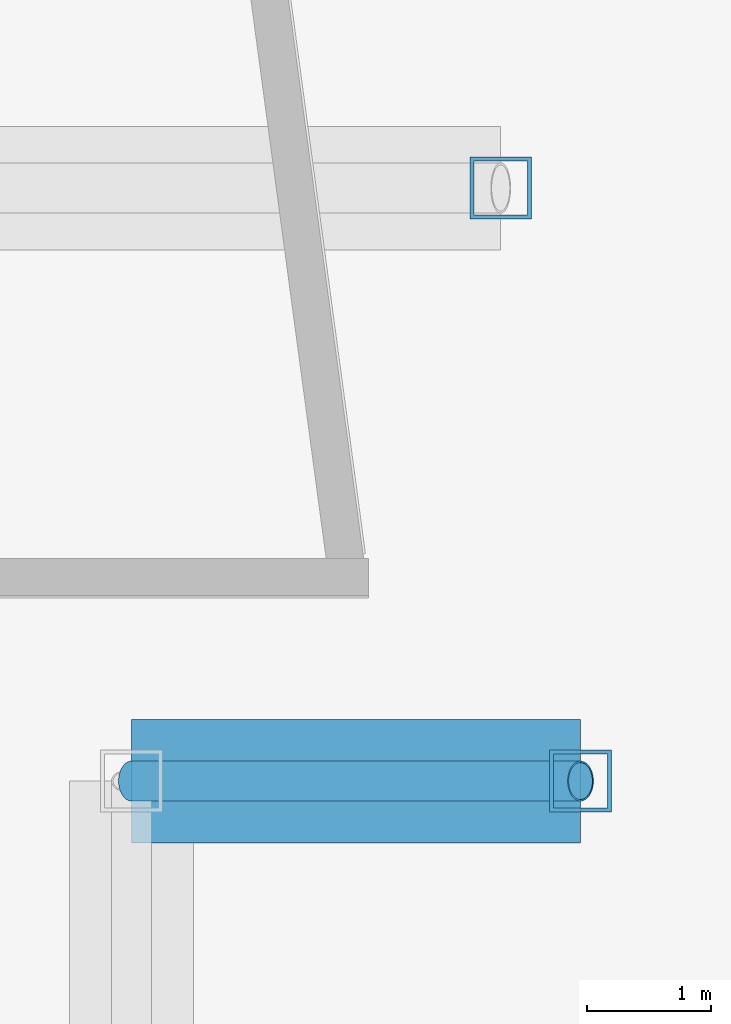
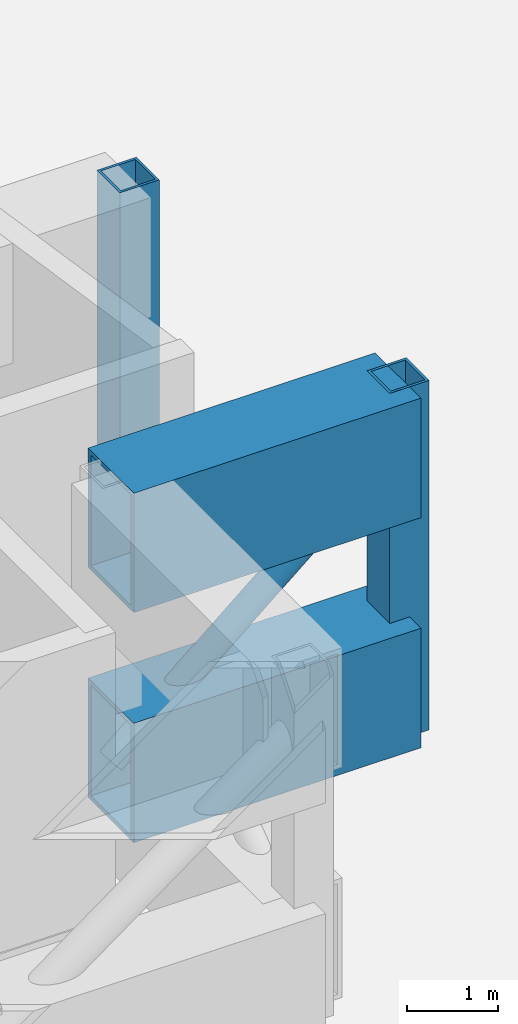
# One storey, part 5 of 26: 5 members.
"""IFC4 building model written with IfcOpenShell, lengths in metres."""

from ifc_helpers import new_model, si_unit, direction, frame, origin, origin_2d, place, context, subcontext, project, spatial, hollow_rectangle, hollow_circle, extrude, material, material_profile, profile_set, type_object, element, save


model = new_model("IFC4")

# Units and contexts
model_context = context("Model", 3, precision=1e-05, world=origin(), true_north=direction((0.0, 1.0)))
body_context = subcontext(model_context, "Body", "Model", "MODEL_VIEW")
ifc_project = project(units=[si_unit("LENGTHUNIT", "METRE"), si_unit("AREAUNIT", "SQUARE_METRE"), si_unit("VOLUMEUNIT", "CUBIC_METRE"), si_unit("PLANEANGLEUNIT", "RADIAN"), si_unit("MASSUNIT", "GRAM", prefix="KILO")], contexts=[model_context])

# Site, building, storey
site_placement = place(None, origin())
site = spatial("IfcSite", under=ifc_project, at=site_placement, CompositionType="ELEMENT")
building_placement = place(site_placement, origin())
building = spatial("IfcBuilding", under=site, at=building_placement, Name="Candeia Pilgrim Tower and Theatre", CompositionType="ELEMENT")
storey_placement = place(building_placement, frame((0.0, 0.0, 34.0)))
storey = spatial("IfcBuildingStorey", under=building, at=storey_placement, Name="L05", CompositionType="ELEMENT", Elevation=34.0)

# Members
ifc_material = material(Name="Structural steel ASTM A572 Grade 50", Category="steel")
ifc_material_profile_1 = material_profile(ifc_material, hollow_rectangle(XDim=1.0, YDim=1.60009765625, WallThickness=0.06005859375, at=origin_2d()))
ifc_profile_set_1 = profile_set([ifc_material_profile_1], Name="Structural steel ASTM A572 Grade 50")
member_type_1 = type_object("IfcMemberType", Name="BOX 1600x1000x60 chord", PredefinedType="CHORD", material=ifc_profile_set_1)
for number, where, z_axis, x_axis, name in (
    (1, (138.60009765625, 102.199951171875, 0.800048828125), (1.0, 0.0, 0.0), (0.0, 1.0, 0.0), "Transfer truss stub bottom chord TTLSE"),
    (2, (138.60009765625, 102.199951171875, 3.8798828125), (1.0, 0.0, 0.0), (0.0, 1.0, 0.0), "Transfer truss stub top chord TTLSE"),
):
    element("IfcMember", number, at=place(storey_placement, frame(where, z_axis=z_axis, x_axis=x_axis)), inside=storey, type_object=member_type_1, Name=name, PredefinedType="CHORD", context=body_context, shape_type="SweptSolid", body=[
        extrude(hollow_rectangle(XDim=1.0, YDim=1.60009765625, WallThickness=0.06005859375, at=origin_2d()), origin(), (0.0, 0.0, 1.0), 3.634521484375),
    ])
ifc_material_profile_2 = material_profile(ifc_material, hollow_rectangle(XDim=0.5, YDim=0.5, WallThickness=0.031982421875, at=origin_2d()))
ifc_profile_set_2 = profile_set([ifc_material_profile_2], Name="Structural steel ASTM A572 Grade 50")
member_type_2 = type_object("IfcMemberType", Name="BOX 500x500x32 post", PredefinedType="POST", material=ifc_profile_set_2)
for number, where, z_axis, x_axis, name in (
    (3, (141.58837890625, 107.0, 0.0), (0.0, 0.0, 1.0), (1.0, 0.0, 0.0), "Transfer truss post TTB"),
    (4, (142.234619140625, 102.199951171875, 0.0), (0.0, 0.0, 1.0), (1.0, 0.0, 0.0), "Transfer truss stub post TTLSE"),
):
    element("IfcMember", number, at=place(storey_placement, frame(where, z_axis=z_axis, x_axis=x_axis)), inside=storey, type_object=member_type_2, Name=name, PredefinedType="POST", context=body_context, shape_type="SweptSolid", body=[
        extrude(hollow_rectangle(XDim=0.5, YDim=0.5, WallThickness=0.031982421875, at=origin_2d()), origin(), (0.0, 0.0, 1.0), 4.679931640625),
    ])
ifc_material_profile_3 = material_profile(ifc_material, hollow_circle(Radius=0.161865234375, WallThickness=0.012451171875, at=origin_2d()))
ifc_profile_set_3 = profile_set([ifc_material_profile_3], Name="Structural steel ASTM A572 Grade 50")
member_type_3 = type_object("IfcMemberType", Name="CHS 324x12.5 brace", PredefinedType="BRACE", material=ifc_profile_set_3)
member_placement = place(storey_placement, frame((138.60009765625, 102.199951171875, 0.800048828125), z_axis=(0.762923447182, 0.0, 0.64648883497), x_axis=(0.0, 1.0, 0.0)))
element("IfcMember", 5, at=member_placement, inside=storey, type_object=member_type_3, Name="Transfer truss stub diagonal TTLSE", PredefinedType="BRACE", context=body_context, shape_type="SweptSolid", body=[
    extrude(hollow_circle(Radius=0.161865234375, WallThickness=0.012451171875, at=origin_2d()), origin(), (0.0, 0.0, 1.0), 4.763916015625),
])

save(model, "model.ifc")
